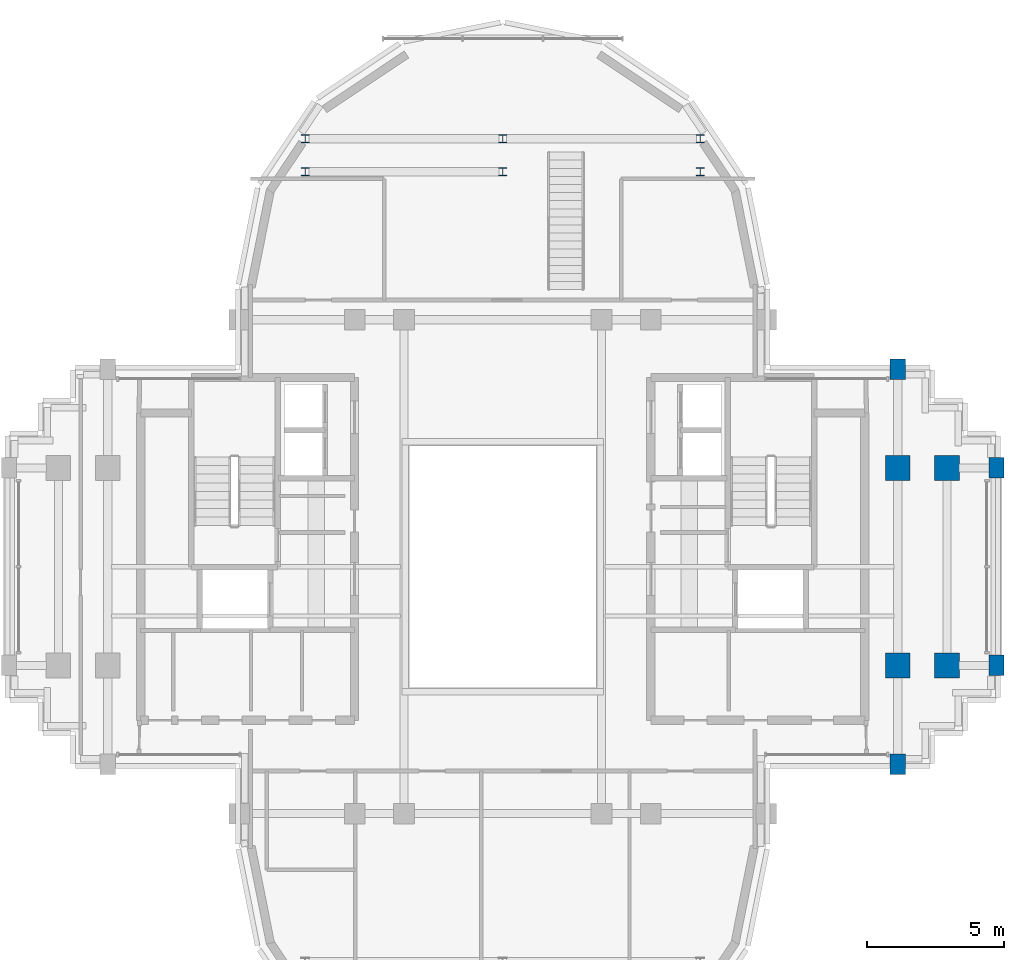
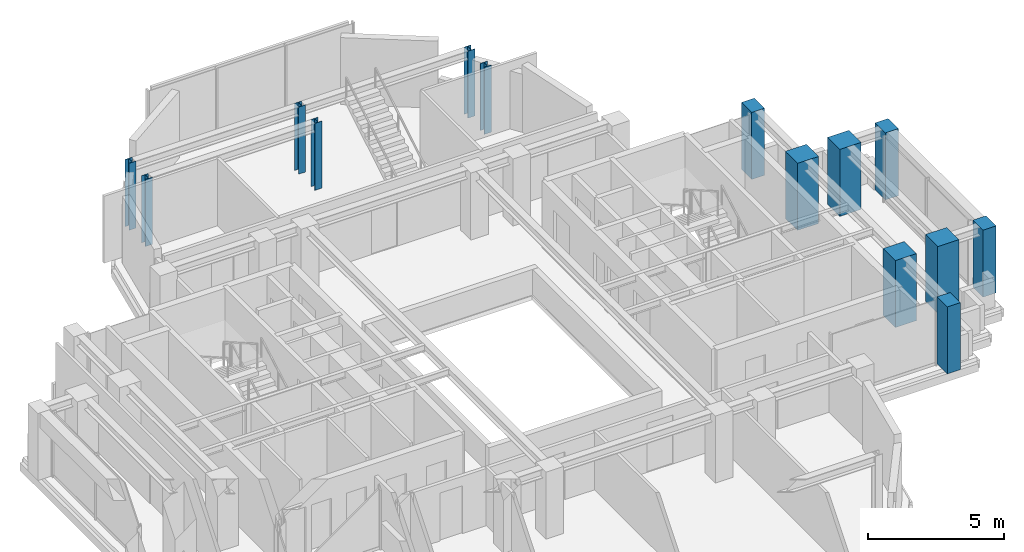
# One storey, part 2 of 13: 14 columns.
"""IFC4 building model written with IfcOpenShell, lengths in metres."""

from ifc_helpers import new_model, si_unit, direction, frame, origin, origin_2d, place, context, subcontext, project, spatial, rectangle, i_section, extrude, source, transform, mapped, material, material_profile, profile_set, type_object, element, save


model = new_model("IFC4")

# Units and contexts
model_context = context("Model", 3, precision=1e-05, world=origin(), true_north=direction((0.0, 1.0)))
body_context = subcontext(model_context, "Body", "Model", "MODEL_VIEW")
ifc_project = project(units=[si_unit("LENGTHUNIT", "METRE"), si_unit("AREAUNIT", "SQUARE_METRE"), si_unit("VOLUMEUNIT", "CUBIC_METRE"), si_unit("PLANEANGLEUNIT", "RADIAN"), si_unit("MASSUNIT", "GRAM", prefix="KILO")], contexts=[model_context])

# Site, building, storey
site_placement = place(None, origin())
site = spatial("IfcSite", under=ifc_project, at=site_placement, CompositionType="ELEMENT")
building_placement = place(site_placement, origin())
building = spatial("IfcBuilding", under=site, at=building_placement, Name="Keilestroom Media Tower", CompositionType="ELEMENT")
storey_placement = place(building_placement, frame((0.0, 0.0, 230.0)))
storey = spatial("IfcBuildingStorey", under=building, at=storey_placement, Name="L63", CompositionType="ELEMENT", Elevation=230.0)

# Columns
ifc_material_1 = material(Name="Precast concrete C40/50", Category="concrete")
ifc_material_profile_1 = material_profile(ifc_material_1, rectangle(XDim=0.550048828125, YDim=0.75, at=origin_2d()), Name="PC 750x550")
ifc_profile_set_1 = profile_set([ifc_material_profile_1], Name="Precast concrete C40/50")
column_type_1 = type_object("IfcColumnType", Name="Structural-Column-PC-750x550", PredefinedType="COLUMN", material=ifc_profile_set_1)
shared_shape_1 = source(origin(), body_context, "Body", "SweptSolid", [
    extrude(rectangle(XDim=0.550048828125, YDim=0.75, at=origin_2d()), origin(), (0.0, 0.0, 1.0), 3.010009765625),
])
for number, where, z_axis, x_axis, name in (
    (1, (14.39990234375, -7.199951171875, 0.0), (0.0, 0.0, 1.0), (1.0, 0.0, 0.0), "L63 Column PC-3 (+14.4,-7.2)"),
    (2, (14.39990234375, 7.199951171875, 0.0), (0.0, 0.0, 1.0), (1.0, 0.0, 0.0), "L63 Column PC-3 (+14.4,+7.2)"),
    (3, (18.0, -3.60009765625, 0.0), (0.0, 0.0, 1.0), (1.0, 0.0, 0.0), "L63 Column PC-3 (+18.0,-3.6)"),
    (4, (18.0, 3.60009765625, 0.0), (0.0, 0.0, 1.0), (1.0, 0.0, 0.0), "L63 Column PC-3 (+18.0,+3.6)"),
):
    element("IfcColumn", number, at=place(storey_placement, frame(where, z_axis=z_axis, x_axis=x_axis)), inside=storey, type_object=column_type_1, Name=name, PredefinedType="COLUMN", context=body_context, shape_type="MappedRepresentation", body=[
        mapped(shared_shape_1, transform((0.0, 0.0, 0.0), x_axis=(1.0, 0.0, 0.0), y_axis=(0.0, 1.0, 0.0), z_axis=(0.0, 0.0, 1.0), scale=1.0)),
    ])
ifc_material_2 = material(Name="Concrete C55/67", Category="concrete")
ifc_material_profile_2 = material_profile(ifc_material_2, rectangle(XDim=0.89990234375, YDim=0.89990234375, at=origin_2d()), Name="RC 900x900")
ifc_profile_set_2 = profile_set([ifc_material_profile_2], Name="Concrete C55/67")
column_type_2 = type_object("IfcColumnType", Name="Structural-Column-RC-900x900", PredefinedType="COLUMN", material=ifc_profile_set_2)
shared_shape_2 = source(origin(), body_context, "Body", "SweptSolid", [
    extrude(rectangle(XDim=0.89990234375, YDim=0.89990234375, at=origin_2d()), origin(), (0.0, 0.0, 1.0), 3.010009765625),
])
for number, where, z_axis, x_axis, name in (
    (5, (14.39990234375, -3.60009765625, 0.0), (0.0, 0.0, 1.0), (1.0, 0.0, 0.0), "L63 Column MC-4 (+14.4,-3.6)"),
    (6, (14.39990234375, 3.60009765625, 0.0), (0.0, 0.0, 1.0), (1.0, 0.0, 0.0), "L63 Column MC-4 (+14.4,+3.6)"),
    (7, (16.199951171875, -3.60009765625, 0.0), (0.0, 0.0, 1.0), (1.0, 0.0, 0.0), "L63 Column MC-4 (+16.2,-3.6)"),
    (8, (16.199951171875, 3.60009765625, 0.0), (0.0, 0.0, 1.0), (1.0, 0.0, 0.0), "L63 Column MC-4 (+16.2,+3.6)"),
):
    element("IfcColumn", number, at=place(storey_placement, frame(where, z_axis=z_axis, x_axis=x_axis)), inside=storey, type_object=column_type_2, Name=name, PredefinedType="COLUMN", context=body_context, shape_type="MappedRepresentation", body=[
        mapped(shared_shape_2, transform((0.0, 0.0, 0.0), x_axis=(1.0, 0.0, 0.0), y_axis=(0.0, 1.0, 0.0), z_axis=(0.0, 0.0, 1.0), scale=1.0)),
    ])
ifc_material_3 = material(Name="Steel S355", Category="steel")
ifc_material_profile_3 = material_profile(ifc_material_3, i_section(OverallWidth=0.300048828125, OverallDepth=0.300048828125, WebThickness=0.010986328125, FlangeThickness=0.01904296875, at=origin_2d()), Name="HEB 300")
ifc_profile_set_3 = profile_set([ifc_material_profile_3], Name="Steel S355")
column_type_3 = type_object("IfcColumnType", Name="Structural-Column-HEB-300", PredefinedType="COLUMN", material=ifc_profile_set_3)
shared_shape_3 = source(origin(), body_context, "Body", "SweptSolid", [
    extrude(i_section(OverallWidth=0.300048828125, OverallDepth=0.300048828125, WebThickness=0.010986328125, FlangeThickness=0.01904296875, at=origin_2d()), origin(), (0.0, 0.0, 1.0), 3.010009765625),
])
for number, where, z_axis, x_axis, name in (
    (9, (-7.199951171875, 14.39990234375, 0.0), (0.0, 0.0, 1.0), (1.0, 0.0, 0.0), "L63 Column SC-5 (-7.2,+14.4)"),
    (10, (-7.199951171875, 15.60009765625, 0.0), (0.0, 0.0, 1.0), (1.0, 0.0, 0.0), "L63 Column SC-5 (-7.2,+15.6)"),
    (11, (0.0, 14.39990234375, 0.0), (0.0, 0.0, 1.0), (1.0, 0.0, 0.0), "L63 Column SC-5 (+0.0,+14.4)"),
    (12, (0.0, 15.60009765625, 0.0), (0.0, 0.0, 1.0), (1.0, 0.0, 0.0), "L63 Column SC-5 (+0.0,+15.6)"),
    (13, (7.199951171875, 14.39990234375, 0.0), (0.0, 0.0, 1.0), (1.0, 0.0, 0.0), "L63 Column SC-5 (+7.2,+14.4)"),
    (14, (7.199951171875, 15.60009765625, 0.0), (0.0, 0.0, 1.0), (1.0, 0.0, 0.0), "L63 Column SC-5 (+7.2,+15.6)"),
):
    element("IfcColumn", number, at=place(storey_placement, frame(where, z_axis=z_axis, x_axis=x_axis)), inside=storey, type_object=column_type_3, Name=name, PredefinedType="COLUMN", context=body_context, shape_type="MappedRepresentation", body=[
        mapped(shared_shape_3, transform((0.0, 0.0, 0.0), x_axis=(1.0, 0.0, 0.0), y_axis=(0.0, 1.0, 0.0), z_axis=(0.0, 0.0, 1.0), scale=1.0)),
    ])

save(model, "model.ifc")
